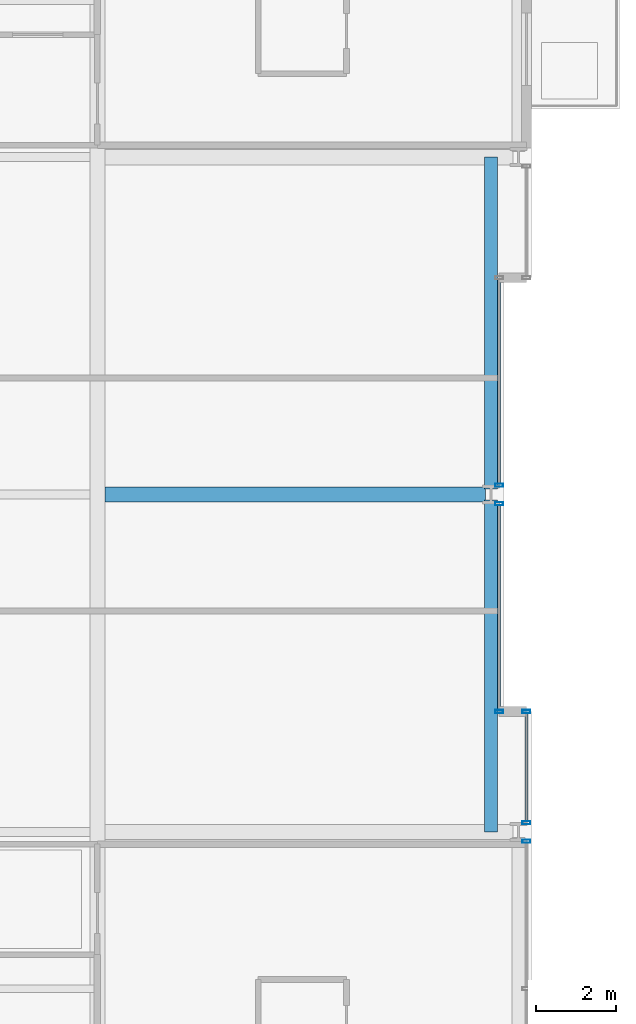
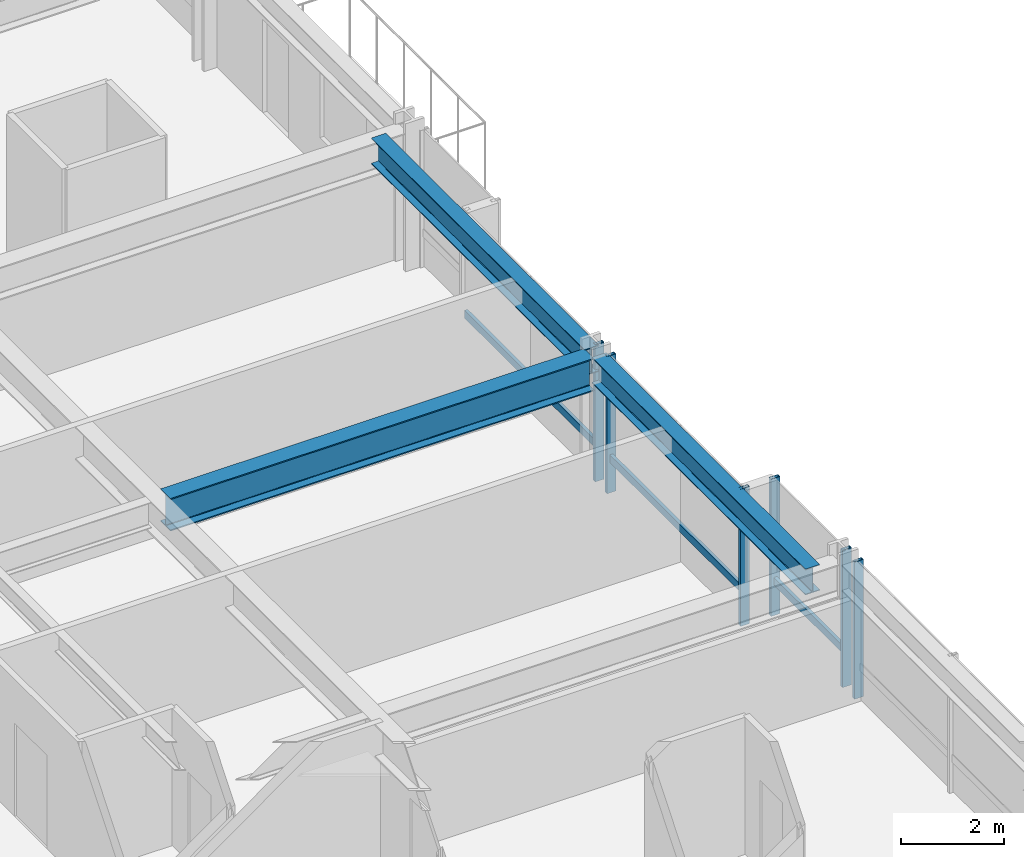
# One storey, part 16 of 38: 9 members, 3 beams, 4 elements without a shape of their own.
"""IFC4 building model written with IfcOpenShell, lengths in metres."""

from ifc_helpers import new_model, si_unit, direction, frame, origin, origin_2d, place, context, subcontext, project, spatial, hollow_rectangle, i_section, extrude, material, layer, layer_set, material_profile, profile_set, type_object, element, aggregate, save


model = new_model("IFC4")

# Units and contexts
model_context = context("Model", 3, precision=1e-05, world=origin(), true_north=direction((0.0, 1.0)))
body_context = subcontext(model_context, "Body", "Model", "MODEL_VIEW")
ifc_project = project(units=[si_unit("LENGTHUNIT", "METRE"), si_unit("AREAUNIT", "SQUARE_METRE"), si_unit("VOLUMEUNIT", "CUBIC_METRE"), si_unit("PLANEANGLEUNIT", "RADIAN"), si_unit("MASSUNIT", "GRAM", prefix="KILO")], contexts=[model_context])

# Site, building, storey
site_placement = place(None, origin())
site = spatial("IfcSite", under=ifc_project, at=site_placement, CompositionType="ELEMENT")
building_placement = place(site_placement, origin())
building = spatial("IfcBuilding", under=site, at=building_placement, Name="Drelvath Grand Hotel", CompositionType="ELEMENT")
storey_placement = place(building_placement, frame((0.0, 0.0, 68.199951171875)))
storey = spatial("IfcBuildingStorey", under=building, at=storey_placement, Name="L16", CompositionType="ELEMENT", Elevation=68.199951171875)

# Curtain wall, member
ifc_material_1 = material(Name="Warm Bronze Anodised Aluminium Frame", Category="aluminium")
ifc_layer = layer(ifc_material_1, 0.199951171875)
ifc_layer_set = layer_set([ifc_layer], Name="Warm Bronze Anodised Aluminium Frame")
curtain_wall_type = type_object("IfcCurtainWallType", Name="Stick Curtain Wall CW-02 Warm Bronze Low-Rise", PredefinedType="NOTDEFINED", material=ifc_layer_set)
curtain_wall_1_placement = place(storey_placement, origin())
curtain_wall_1 = element("IfcCurtainWall", 1, at=curtain_wall_1_placement, inside=storey, type_object=curtain_wall_type, Name="L16 CW-02 Curtain Wall CW02-L16-EM1", PredefinedType="NOTDEFINED")
ifc_material_profile_1 = material_profile(ifc_material_1, hollow_rectangle(XDim=0.074951171875, YDim=0.179931640625, WallThickness=0.0048828125, at=origin_2d()), Name="HSS180X75X5")
ifc_profile_set_1 = profile_set([ifc_material_profile_1], Name="Warm Bronze Anodised Aluminium Frame")
member_type_1 = type_object("IfcMemberType", Name="Curtain Wall Horizontal Transom CW-02 HSS180X75X5", PredefinedType="USERDEFINED", material=ifc_profile_set_1)
member_1_placement = place(storey_placement, frame((26.199951171875, 26.73095703125, 0.81005859375), z_axis=(0.0, -1.0, 0.0), x_axis=(1.0, 0.0, 0.0)))
member_1 = element("IfcMember", 2, at=member_1_placement, type_object=member_type_1, Name="CW02-L16-EM1 Sill Transom", ObjectType="TRANSOM", PredefinedType="USERDEFINED", context=body_context, shape_type="SweptSolid", body=[
    extrude(hollow_rectangle(XDim=0.074951171875, YDim=0.179931640625, WallThickness=0.0048828125, at=origin_2d()), origin(), (0.0, 0.0, 1.0), 5.091064453125),
])

curtain_wall_2_placement = place(storey_placement, origin())
curtain_wall_2 = element("IfcCurtainWall", 3, at=curtain_wall_2_placement, inside=storey, type_object=curtain_wall_type, Name="L16 CW-02 Curtain Wall CW02-L16-EM2", PredefinedType="NOTDEFINED")
member_2_placement = place(storey_placement, frame((26.199951171875, 32.360107421875, 0.81005859375), z_axis=(0.0, -1.0, 0.0), x_axis=(1.0, 0.0, 0.0)))
member_2 = element("IfcMember", 4, at=member_2_placement, type_object=member_type_1, Name="CW02-L16-EM2 Sill Transom", ObjectType="TRANSOM", PredefinedType="USERDEFINED", context=body_context, shape_type="SweptSolid", body=[
    extrude(hollow_rectangle(XDim=0.074951171875, YDim=0.179931640625, WallThickness=0.0048828125, at=origin_2d()), origin(), (0.0, 0.0, 1.0), 5.091064453125),
])

curtain_wall_3_placement = place(storey_placement, origin())
curtain_wall_3 = element("IfcCurtainWall", 5, at=curtain_wall_3_placement, inside=storey, type_object=curtain_wall_type, Name="L16 CW-02 Curtain Wall CW02-L16-ES3", PredefinedType="NOTDEFINED")
member_3_placement = place(storey_placement, frame((26.8798828125, 21.56005859375, 0.81005859375), z_axis=(0.0, -1.0, 0.0), x_axis=(1.0, 0.0, 0.0)))
member_3 = element("IfcMember", 6, at=member_3_placement, type_object=member_type_1, Name="CW02-L16-ES3 Sill Transom", ObjectType="TRANSOM", PredefinedType="USERDEFINED", context=body_context, shape_type="SweptSolid", body=[
    extrude(hollow_rectangle(XDim=0.074951171875, YDim=0.179931640625, WallThickness=0.0048828125, at=origin_2d()), origin(), (0.0, 0.0, 1.0), 2.69091796875),
])

# Member
ifc_material_profile_2 = material_profile(ifc_material_1, hollow_rectangle(XDim=0.080078125, YDim=0.199951171875, WallThickness=0.0048828125, at=origin_2d()), Name="HSS200X80X5")
ifc_profile_set_2 = profile_set([ifc_material_profile_2], Name="Warm Bronze Anodised Aluminium Frame")
member_type_2 = type_object("IfcMemberType", Name="Curtain Wall Vertical Mullion CW-02 HSS200X80X5", PredefinedType="MULLION", material=ifc_profile_set_2)
member_4_placement = place(storey_placement, frame((26.199951171875, 26.77099609375, 0.0), z_axis=(0.0, 0.0, 1.0), x_axis=(0.0, 1.0, 0.0)))
member_4 = element("IfcMember", 7, at=member_4_placement, type_object=member_type_2, Name="CW02-L16-EM1 Mullion 1", PredefinedType="MULLION", context=body_context, shape_type="SweptSolid", body=[
    extrude(hollow_rectangle(XDim=0.080078125, YDim=0.199951171875, WallThickness=0.0048828125, at=origin_2d()), origin(), (0.0, 0.0, 1.0), 3.239990234375),
])

member_5_placement = place(storey_placement, frame((26.199951171875, 21.60009765625, 0.0), z_axis=(0.0, 0.0, 1.0), x_axis=(0.0, 1.0, 0.0)))
member_5 = element("IfcMember", 8, at=member_5_placement, type_object=member_type_2, Name="CW02-L16-EM1 Mullion 2", PredefinedType="MULLION", context=body_context, shape_type="SweptSolid", body=[
    extrude(hollow_rectangle(XDim=0.080078125, YDim=0.199951171875, WallThickness=0.0048828125, at=origin_2d()), origin(), (0.0, 0.0, 1.0), 3.239990234375),
])

aggregate(curtain_wall_1, [member_4, member_5, member_1])

member_6_placement = place(storey_placement, frame((26.199951171875, 27.22900390625, 0.0), z_axis=(0.0, 0.0, 1.0), x_axis=(0.0, 1.0, 0.0)))
member_6 = element("IfcMember", 9, at=member_6_placement, type_object=member_type_2, Name="CW02-L16-EM2 Mullion 2", PredefinedType="MULLION", context=body_context, shape_type="SweptSolid", body=[
    extrude(hollow_rectangle(XDim=0.080078125, YDim=0.199951171875, WallThickness=0.0048828125, at=origin_2d()), origin(), (0.0, 0.0, 1.0), 3.239990234375),
])

aggregate(curtain_wall_2, [member_6, member_2])

# Curtain wall, member
curtain_wall_4_placement = place(storey_placement, origin())
curtain_wall_4 = element("IfcCurtainWall", 10, at=curtain_wall_4_placement, inside=storey, type_object=curtain_wall_type, Name="L16 CW-02 Curtain Wall CW02-L16-ES2", PredefinedType="NOTDEFINED")
member_7_placement = place(storey_placement, frame((26.8798828125, 18.370849609375, 0.0), z_axis=(0.0, 0.0, 1.0), x_axis=(0.0, 1.0, 0.0)))
member_7 = element("IfcMember", 11, at=member_7_placement, type_object=member_type_2, Name="CW02-L16-ES2 Mullion 1", PredefinedType="MULLION", context=body_context, shape_type="SweptSolid", body=[
    extrude(hollow_rectangle(XDim=0.080078125, YDim=0.199951171875, WallThickness=0.0048828125, at=origin_2d()), origin(), (0.0, 0.0, 1.0), 3.239990234375),
])
aggregate(curtain_wall_4, [member_7])

# Member
member_8_placement = place(storey_placement, frame((26.8798828125, 21.60009765625, 0.0), z_axis=(0.0, 0.0, 1.0), x_axis=(0.0, 1.0, 0.0)))
member_8 = element("IfcMember", 12, at=member_8_placement, type_object=member_type_2, Name="CW02-L16-ES3 Mullion 1", PredefinedType="MULLION", context=body_context, shape_type="SweptSolid", body=[
    extrude(hollow_rectangle(XDim=0.080078125, YDim=0.199951171875, WallThickness=0.0048828125, at=origin_2d()), origin(), (0.0, 0.0, 1.0), 3.239990234375),
])

member_9_placement = place(storey_placement, frame((26.8798828125, 18.8291015625, 0.0), z_axis=(0.0, 0.0, 1.0), x_axis=(0.0, 1.0, 0.0)))
member_9 = element("IfcMember", 13, at=member_9_placement, type_object=member_type_2, Name="CW02-L16-ES3 Mullion 2", PredefinedType="MULLION", context=body_context, shape_type="SweptSolid", body=[
    extrude(hollow_rectangle(XDim=0.080078125, YDim=0.199951171875, WallThickness=0.0048828125, at=origin_2d()), origin(), (0.0, 0.0, 1.0), 3.239990234375),
])

aggregate(curtain_wall_3, [member_8, member_9, member_3])

# Beams
ifc_material_2 = material(Name="Steel ASTM A992 Gr 50", Category="steel")
ifc_material_profile_3 = material_profile(ifc_material_2, i_section(OverallWidth=0.323974609375, OverallDepth=0.611083984375, WebThickness=0.0126953125, FlangeThickness=0.01904296875, FilletRadius=0.02197265625, at=origin_2d()), Name="W24X104")
ifc_profile_set_3 = profile_set([ifc_material_profile_3], Name="Steel ASTM A992 Gr 50")
beam_type_1 = type_object("IfcBeamType", Name="Perimeter Spandrel Beam W24X104", PredefinedType="SPANDREL", material=ifc_profile_set_3)
for number, where, z_axis, x_axis, name in (
    (14, (26.0, 18.60009765625, 2.9345703125), (0.0, 1.0, 0.0), (-1.0, 0.0, 0.0), "L16 Spandrel East Mid S"),
    (15, (26.0, 27.139892578125, 2.9345703125), (0.0, 1.0, 0.0), (-1.0, 0.0, 0.0), "L16 Spandrel East Mid N"),
):
    element("IfcBeam", number, at=place(storey_placement, frame(where, z_axis=z_axis, x_axis=x_axis)), inside=storey, type_object=beam_type_1, Name=name, PredefinedType="SPANDREL", context=body_context, shape_type="SweptSolid", body=[
        extrude(i_section(OverallWidth=0.323974609375, OverallDepth=0.611083984375, WebThickness=0.0126953125, FlangeThickness=0.01904296875, FilletRadius=0.02197265625, at=origin_2d()), origin(), (0.0, 0.0, 1.0), 8.260009765625),
    ])
ifc_material_profile_4 = material_profile(ifc_material_2, i_section(OverallWidth=0.380615234375, OverallDepth=0.773193359375, WebThickness=0.0166015625, FlangeThickness=0.027099609375, FilletRadius=0.02490234375, at=origin_2d()), Name="W30X173")
ifc_profile_set_4 = profile_set([ifc_material_profile_4], Name="Steel ASTM A992 Gr 50")
beam_type_2 = type_object("IfcBeamType", Name="Primary Floor Girder W30X173", PredefinedType="BEAM", material=ifc_profile_set_4)
beam_placement = place(storey_placement, frame((16.390380859375, 27.0, 2.853515625), z_axis=(1.0, 0.0, 0.0), x_axis=(0.0, 1.0, 0.0)))
element("IfcBeam", 16, at=beam_placement, inside=storey, type_object=beam_type_2, Name="L16 East Wing Girder E", PredefinedType="BEAM", context=body_context, shape_type="SweptSolid", body=[
    extrude(i_section(OverallWidth=0.380615234375, OverallDepth=0.773193359375, WebThickness=0.0166015625, FlangeThickness=0.027099609375, FilletRadius=0.02490234375, at=origin_2d()), origin(), (0.0, 0.0, 1.0), 9.4697265625),
])

save(model, "model.ifc")
